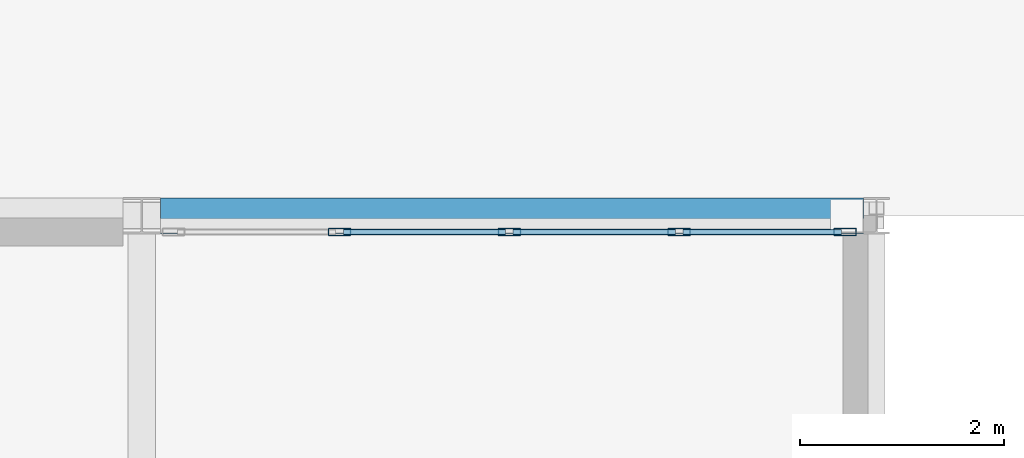
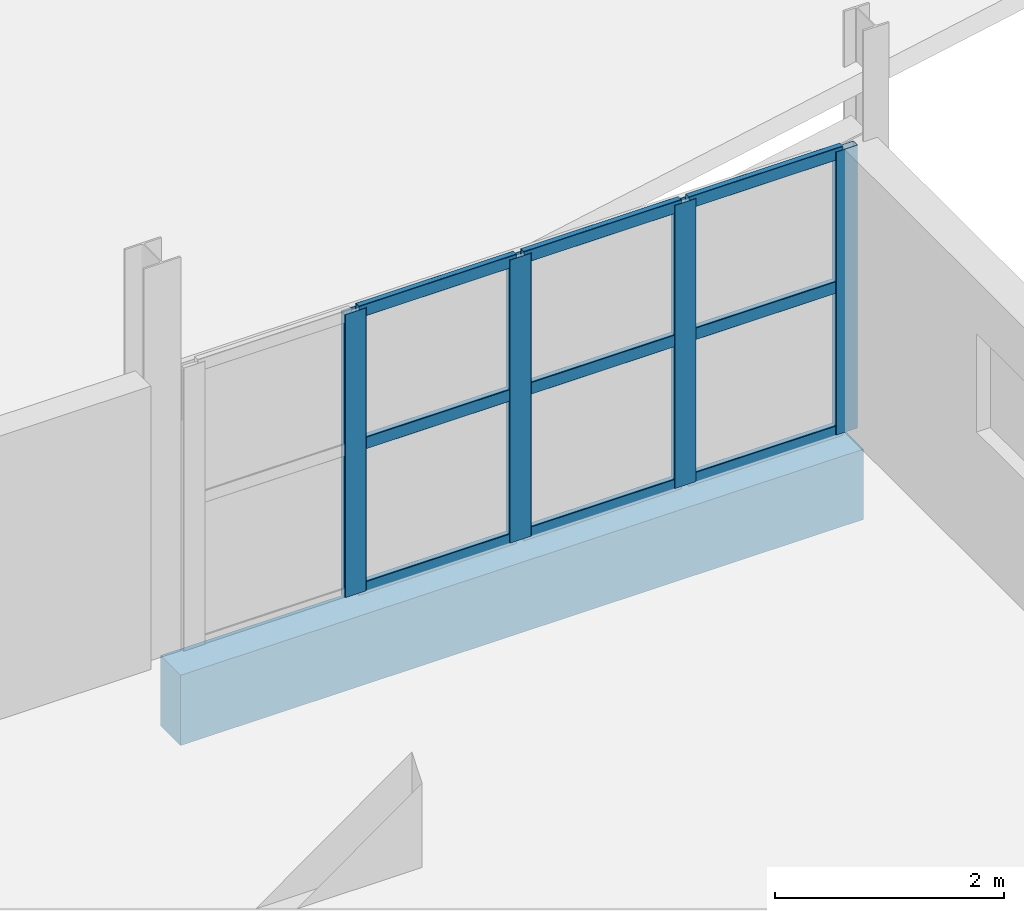
# One storey, part 57 of 94: 13 members, 1 beam, 1 element without a shape of its own.
"""IFC4 building model written with IfcOpenShell, lengths in metres."""

import ifcopenshell
import ifcopenshell.guid

model = None  # the IFC model being written
_history = None  # IfcOwnerHistory: only IFC2X3 demands one
_inside = {}  # id of a spatial element -> (the spatial element, [elements in it])
_under = {}  # id of a project, library or spatial element -> (it, [spatial elements below it])
_declared = {}  # id of a project -> (the project, [libraries it declares])
_typed = {}  # id of a type object -> (the type object, [elements of that type])
_made_of = {}  # id of a material, layer set ... -> (it, [elements and type objects made of it])


def new_model(schema):
    """Start an empty IFC model of exactly this schema.

    Asked for "IFC4X3", IfcOpenShell would pick the latest addendum, in which some entities
    have other attributes; the version numbers below select the first issue.
    IFC2X3 requires an IfcOwnerHistory on every rooted entity: one is made here for all.
    """
    global model, _history
    if schema == "IFC4X3":
        model = ifcopenshell.file(schema_version=(4, 3, 0, 0))
    else:
        model = ifcopenshell.file(schema=schema)
    _inside.clear()
    _under.clear()
    _declared.clear()
    _typed.clear()
    _made_of.clear()
    _history = None
    if model.schema == "IFC2X3":
        org = make("IfcOrganization", Name="unknown")
        user = make(
            "IfcPersonAndOrganization",
            ThePerson=make("IfcPerson", FamilyName="unknown"),
            TheOrganization=org,
        )
        app = make(
            "IfcApplication",
            ApplicationDeveloper=org,
            Version="unknown",
            ApplicationFullName="unknown",
            ApplicationIdentifier="unknown",
        )
        _history = make(
            "IfcOwnerHistory",
            OwningUser=user,
            OwningApplication=app,
            ChangeAction="ADDED",
            CreationDate=0,
        )
    return model


def make(cls, **values):
    """One entity of the class cls with the attributes given. An attribute that is None is left unset."""
    return model.create_entity(
        cls, **{name: value for name, value in values.items() if value is not None}
    )


def rooted(cls, **values):
    """An entity with a GlobalId (a new one), such as an element, a storey or a relation."""
    return make(cls, GlobalId=ifcopenshell.guid.new(), OwnerHistory=_history, **values)


def si_unit(unit_type, name, prefix=None):
    """IfcSIUnit, for example si_unit("LENGTHUNIT", "METRE", prefix="MILLI")."""
    return make("IfcSIUnit", UnitType=unit_type, Prefix=prefix, Name=name)


def assignment(units):
    """IfcUnitAssignment: the units of a project."""
    return None if units is None else make("IfcUnitAssignment", Units=units)


def point(xyz):
    """IfcCartesianPoint."""
    return None if xyz is None else make("IfcCartesianPoint", Coordinates=xyz)


def direction(xyz):
    """IfcDirection."""
    return None if xyz is None else make("IfcDirection", DirectionRatios=xyz)


def frame(location, z_axis=None, x_axis=None):
    """IfcAxis2Placement3D, a coordinate frame: its origin and axes. An axis left out is left unset."""
    return make(
        "IfcAxis2Placement3D",
        Location=point(location),
        Axis=direction(z_axis),
        RefDirection=direction(x_axis),
    )


def frame_2d(location, x_axis=None):
    """IfcAxis2Placement2D, a coordinate frame in the plane: its origin and x axis."""
    return make(
        "IfcAxis2Placement2D", Location=point(location), RefDirection=direction(x_axis)
    )


def origin():
    """The frame at (0, 0, 0) with its axes left unset."""
    return frame((0.0, 0.0, 0.0))


def origin_2d():
    """The frame at (0, 0) in the plane with its x axis left unset."""
    return frame_2d((0.0, 0.0))


def place(relative_to, where):
    """IfcLocalPlacement: puts the frame where relative to a parent placement (None: the world)."""
    return make(
        "IfcLocalPlacement", PlacementRelTo=relative_to, RelativePlacement=where
    )


def context(
    kind, dimensions, precision=None, world=None, true_north=None, identifier=None
):
    """IfcGeometricRepresentationContext, for example the 3D "Model" context."""
    return make(
        "IfcGeometricRepresentationContext",
        ContextIdentifier=identifier,
        ContextType=kind,
        CoordinateSpaceDimension=dimensions,
        Precision=precision,
        WorldCoordinateSystem=world,
        TrueNorth=true_north,
    )


def subcontext(parent, identifier, kind, view, scale=None):
    """IfcGeometricRepresentationSubContext, for example "Body" below "Model"."""
    return make(
        "IfcGeometricRepresentationSubContext",
        ContextIdentifier=identifier,
        ContextType=kind,
        ParentContext=parent,
        TargetScale=scale,
        TargetView=view,
    )


def project(units=None, contexts=None):
    """IfcProject with its units and contexts."""
    return rooted(
        "IfcProject",
        Name="project",
        RepresentationContexts=contexts,
        UnitsInContext=assignment(units),
    )


def spatial(cls, under=None, at=None, **own):
    """A site, building, storey or space (cls), placed at a placement, below another one or the project."""
    s = rooted(cls, ObjectPlacement=at, **own)
    if under is not None:
        _under.setdefault(under.id(), (under, []))[1].append(s)
    return s


def profile(cls, at=None, kind="AREA", **sizes):
    """A parametric profile (cls). Its sizes go by their IFC names, for example OverallWidth=200.0."""
    return make(cls, ProfileType=kind, Position=at, **sizes)


def rectangle(**sizes):
    """IfcRectangleProfileDef."""
    return profile("IfcRectangleProfileDef", **sizes)


def hollow_rectangle(**sizes):
    """IfcRectangleHollowProfileDef."""
    return profile("IfcRectangleHollowProfileDef", **sizes)


def extrude(swept, where, along, depth):
    """IfcExtrudedAreaSolid: the profile swept, set in the frame where, extruded along a direction by depth."""
    return make(
        "IfcExtrudedAreaSolid",
        SweptArea=swept,
        Position=where,
        ExtrudedDirection=direction(along),
        Depth=depth,
    )


def shape(context_of_items, identifier, shape_type, items):
    """IfcShapeRepresentation: the items that make up one representation, for example the "Body"."""
    return make(
        "IfcShapeRepresentation",
        ContextOfItems=context_of_items,
        RepresentationIdentifier=identifier,
        RepresentationType=shape_type,
        Items=items,
    )


def material(Name=None, Category=None):
    """IfcMaterial."""
    return make("IfcMaterial", Name=Name, Category=Category)


def material_profile(
    of_material, cross_section, Name=None, Category=None, Priority=None
):
    """IfcMaterialProfile: a cross section and its material."""
    return make(
        "IfcMaterialProfile",
        Name=Name,
        Material=of_material,
        Profile=cross_section,
        Priority=Priority,
        Category=Category,
    )


def profile_set(profiles, Name=None, composite=None):
    """IfcMaterialProfileSet."""
    return make(
        "IfcMaterialProfileSet",
        Name=Name,
        MaterialProfiles=profiles,
        CompositeProfile=composite,
    )


def made_of(thing, what):
    """Note that an element or type object is made of a material, layer set ...; save() writes the relation."""
    if what is not None:
        _made_of.setdefault(what.id(), (what, []))[1].append(thing)
    return thing


def type_object(cls, material=None, **own):
    """A type object (cls), such as IfcWallType, which elements share."""
    return made_of(rooted(cls, **own), material)


def element(
    cls,
    number,
    at=None,
    inside=None,
    cuts=None,
    type_object=None,
    material=None,
    context=None,
    identifier="Body",
    shape_type=None,
    held_by="IfcProductDefinitionShape",
    body=None,
    shapes=None,
    **own,
):
    """One element of the class cls, such as IfcWall. Its Tag is "e" and its number.

    at: its placement. inside: the storey or other place that contains it. cuts: it is an
    opening in that element (IfcRelVoidsElement). A single representation is given by context,
    identifier, shape_type and body (its items); several are given by shapes. held_by: the class
    of the entity that holds the representations. save() writes the other relations.
    """
    e = rooted(cls, Tag="e%d" % number, ObjectPlacement=at, **own)
    if body is not None:
        shapes = [shape(context, identifier, shape_type, body)]
    if shapes is not None:
        e.Representation = make(held_by, Representations=shapes)
    if inside is not None:
        _inside.setdefault(inside.id(), (inside, []))[1].append(e)
    if cuts is not None:
        rooted(
            "IfcRelVoidsElement", RelatingBuildingElement=cuts, RelatedOpeningElement=e
        )
    if type_object is not None:
        _typed.setdefault(type_object.id(), (type_object, []))[1].append(e)
    return made_of(e, material)


def aggregate(whole, parts):
    """IfcRelAggregates: a whole, such as a stair, and the parts it consists of."""
    return rooted("IfcRelAggregates", RelatingObject=whole, RelatedObjects=parts)


def save(model, path):
    """Write the relations noted so far, then the file.

    IfcRelAggregates (storeys below a building ...), IfcRelContainedInSpatialStructure (elements
    in a storey), IfcRelDefinesByType, IfcRelAssociatesMaterial and IfcRelDeclares: one each for
    every whole, place, type object, material and project.
    """
    for whole, parts in _under.values():
        aggregate(whole, parts)
    for where, things in _inside.values():
        rooted(
            "IfcRelContainedInSpatialStructure",
            RelatedElements=things,
            RelatingStructure=where,
        )
    for kind, things in _typed.values():
        rooted("IfcRelDefinesByType", RelatedObjects=things, RelatingType=kind)
    for what, things in _made_of.values():
        rooted("IfcRelAssociatesMaterial", RelatedObjects=things, RelatingMaterial=what)
    for by, libraries in _declared.values():
        rooted("IfcRelDeclares", RelatingContext=by, RelatedDefinitions=libraries)
    model.write(path)


model = new_model("IFC4")

# Units and contexts
model_context = context("Model", 3, precision=1e-05, world=origin(), true_north=direction((0.0, 1.0)))
body_context = subcontext(model_context, "Body", "Model", "MODEL_VIEW")
ifc_project = project(units=[si_unit("LENGTHUNIT", "METRE"), si_unit("AREAUNIT", "SQUARE_METRE"), si_unit("VOLUMEUNIT", "CUBIC_METRE"), si_unit("PLANEANGLEUNIT", "RADIAN"), si_unit("MASSUNIT", "GRAM", prefix="KILO")], contexts=[model_context])

# Site, building, storey
site_placement = place(None, origin())
site = spatial("IfcSite", under=ifc_project, at=site_placement, CompositionType="ELEMENT")
building_placement = place(site_placement, origin())
building = spatial("IfcBuilding", under=site, at=building_placement, Name="Kalmorath City Hall", CompositionType="ELEMENT")
storey_placement = place(building_placement, frame((0.0, 0.0, 14.699951171875)))
storey = spatial("IfcBuildingStorey", under=building, at=storey_placement, Name="L03", CompositionType="ELEMENT", Elevation=14.699951171875)

# Curtain wall, members
ifc_material_1 = material(Name="Anodised aluminium and laminated glass", Category="aluminium")
curtain_wall_type = type_object("IfcCurtainWallType", Name="Unitised hurricane curtain wall 6655x3018 M1850", PredefinedType="NOTDEFINED", material=ifc_material_1)
curtain_wall_placement = place(storey_placement, origin())
curtain_wall = element("IfcCurtainWall", 1, at=curtain_wall_placement, inside=storey, type_object=curtain_wall_type, Name="L03 curtain wall CW-67X30M18 #162", PredefinedType="NOTDEFINED")
ifc_material_2 = material(Name="Anodised aluminium framing", Category="aluminium")
ifc_material_profile_1 = material_profile(ifc_material_2, hollow_rectangle(XDim=0.06005859375, YDim=0.1298828125, WallThickness=0.00341796875, InnerFilletRadius=0.00341796875, OuterFilletRadius=0.007080078125, at=origin_2d()), Name="ALU-TRN-130X60X3.5")
ifc_profile_set_1 = profile_set([ifc_material_profile_1], Name="Anodised aluminium framing")
member_type_1 = type_object("IfcMemberType", Name="Curtain-wall courtyard transom 130x60", PredefinedType="USERDEFINED", material=ifc_profile_set_1)
member_1_placement = place(storey_placement, frame((160.3759765625, 43.0400390625, 0.030029296875), z_axis=(1.0, 0.0, 0.0), x_axis=(0.0, 1.0, 0.0)))
member_1 = element("IfcMember", 2, at=member_1_placement, type_object=member_type_1, Name="CW-67X30M18 transom 2.1", ObjectType="TRANSOM", PredefinedType="USERDEFINED", context=body_context, shape_type="SweptSolid", body=[
    extrude(hollow_rectangle(XDim=0.06005859375, YDim=0.1298828125, WallThickness=0.00341796875, InnerFilletRadius=0.00341796875, OuterFilletRadius=0.007080078125, at=origin_2d()), origin(), (0.0, 0.0, 1.0), 1.5888671875),
])
member_2_placement = place(storey_placement, frame((160.3759765625, 43.0400390625, 1.569091796875), z_axis=(1.0, 0.0, 0.0), x_axis=(0.0, 1.0, 0.0)))
member_2 = element("IfcMember", 3, at=member_2_placement, type_object=member_type_1, Name="CW-67X30M18 transom 2.2", ObjectType="TRANSOM", PredefinedType="USERDEFINED", context=body_context, shape_type="SweptSolid", body=[
    extrude(hollow_rectangle(XDim=0.06005859375, YDim=0.1298828125, WallThickness=0.00341796875, InnerFilletRadius=0.00341796875, OuterFilletRadius=0.007080078125, at=origin_2d()), origin(), (0.0, 0.0, 1.0), 1.5888671875),
])
member_3_placement = place(storey_placement, frame((160.3759765625, 43.0400390625, 2.988037109375), z_axis=(1.0, 0.0, 0.0), x_axis=(0.0, 1.0, 0.0)))
member_3 = element("IfcMember", 4, at=member_3_placement, type_object=member_type_1, Name="CW-67X30M18 transom 2.3", ObjectType="TRANSOM", PredefinedType="USERDEFINED", context=body_context, shape_type="SweptSolid", body=[
    extrude(hollow_rectangle(XDim=0.06005859375, YDim=0.1298828125, WallThickness=0.00341796875, InnerFilletRadius=0.00341796875, OuterFilletRadius=0.007080078125, at=origin_2d()), origin(), (0.0, 0.0, 1.0), 1.5888671875),
])
member_4_placement = place(storey_placement, frame((162.039794921875, 43.0400390625, 0.030029296875), z_axis=(1.0, 0.0, 0.0), x_axis=(0.0, 1.0, 0.0)))
member_4 = element("IfcMember", 5, at=member_4_placement, type_object=member_type_1, Name="CW-67X30M18 transom 3.1", ObjectType="TRANSOM", PredefinedType="USERDEFINED", context=body_context, shape_type="SweptSolid", body=[
    extrude(hollow_rectangle(XDim=0.06005859375, YDim=0.1298828125, WallThickness=0.00341796875, InnerFilletRadius=0.00341796875, OuterFilletRadius=0.007080078125, at=origin_2d()), origin(), (0.0, 0.0, 1.0), 1.5888671875),
])
member_5_placement = place(storey_placement, frame((162.039794921875, 43.0400390625, 1.569091796875), z_axis=(1.0, 0.0, 0.0), x_axis=(0.0, 1.0, 0.0)))
member_5 = element("IfcMember", 6, at=member_5_placement, type_object=member_type_1, Name="CW-67X30M18 transom 3.2", ObjectType="TRANSOM", PredefinedType="USERDEFINED", context=body_context, shape_type="SweptSolid", body=[
    extrude(hollow_rectangle(XDim=0.06005859375, YDim=0.1298828125, WallThickness=0.00341796875, InnerFilletRadius=0.00341796875, OuterFilletRadius=0.007080078125, at=origin_2d()), origin(), (0.0, 0.0, 1.0), 1.5888671875),
])
member_6_placement = place(storey_placement, frame((162.039794921875, 43.0400390625, 2.988037109375), z_axis=(1.0, 0.0, 0.0), x_axis=(0.0, 1.0, 0.0)))
member_6 = element("IfcMember", 7, at=member_6_placement, type_object=member_type_1, Name="CW-67X30M18 transom 3.3", ObjectType="TRANSOM", PredefinedType="USERDEFINED", context=body_context, shape_type="SweptSolid", body=[
    extrude(hollow_rectangle(XDim=0.06005859375, YDim=0.1298828125, WallThickness=0.00341796875, InnerFilletRadius=0.00341796875, OuterFilletRadius=0.007080078125, at=origin_2d()), origin(), (0.0, 0.0, 1.0), 1.5888671875),
])
member_7_placement = place(storey_placement, frame((163.70361328125, 43.0400390625, 0.030029296875), z_axis=(1.0, 0.0, 0.0), x_axis=(0.0, 1.0, 0.0)))
member_7 = element("IfcMember", 8, at=member_7_placement, type_object=member_type_1, Name="CW-67X30M18 transom 4.1", ObjectType="TRANSOM", PredefinedType="USERDEFINED", context=body_context, shape_type="SweptSolid", body=[
    extrude(hollow_rectangle(XDim=0.06005859375, YDim=0.1298828125, WallThickness=0.00341796875, InnerFilletRadius=0.00341796875, OuterFilletRadius=0.007080078125, at=origin_2d()), origin(), (0.0, 0.0, 1.0), 1.55126953125),
])
member_8_placement = place(storey_placement, frame((163.70361328125, 43.0400390625, 1.569091796875), z_axis=(1.0, 0.0, 0.0), x_axis=(0.0, 1.0, 0.0)))
member_8 = element("IfcMember", 9, at=member_8_placement, type_object=member_type_1, Name="CW-67X30M18 transom 4.2", ObjectType="TRANSOM", PredefinedType="USERDEFINED", context=body_context, shape_type="SweptSolid", body=[
    extrude(hollow_rectangle(XDim=0.06005859375, YDim=0.1298828125, WallThickness=0.00341796875, InnerFilletRadius=0.00341796875, OuterFilletRadius=0.007080078125, at=origin_2d()), origin(), (0.0, 0.0, 1.0), 1.55126953125),
])
member_9_placement = place(storey_placement, frame((163.70361328125, 43.0400390625, 2.988037109375), z_axis=(1.0, 0.0, 0.0), x_axis=(0.0, 1.0, 0.0)))
member_9 = element("IfcMember", 10, at=member_9_placement, type_object=member_type_1, Name="CW-67X30M18 transom 4.3", ObjectType="TRANSOM", PredefinedType="USERDEFINED", context=body_context, shape_type="SweptSolid", body=[
    extrude(hollow_rectangle(XDim=0.06005859375, YDim=0.1298828125, WallThickness=0.00341796875, InnerFilletRadius=0.00341796875, OuterFilletRadius=0.007080078125, at=origin_2d()), origin(), (0.0, 0.0, 1.0), 1.55126953125),
])
ifc_material_3 = material(Name="Anodised aluminium framing", Category="aluminium")
ifc_material_profile_2 = material_profile(ifc_material_3, hollow_rectangle(XDim=0.074951171875, YDim=0.219970703125, WallThickness=0.00390625, InnerFilletRadius=0.00390625, OuterFilletRadius=0.008056640625, at=origin_2d()), Name="ALU-MUL-220X75X4")
ifc_profile_set_2 = profile_set([ifc_material_profile_2], Name="Anodised aluminium framing")
member_type_2 = type_object("IfcMemberType", Name="Curtain-wall primary mullion 220x75", PredefinedType="MULLION", material=ifc_profile_set_2)
member_10_placement = place(storey_placement, frame((160.33837890625, 43.0400390625, 0.0), z_axis=(0.0, 0.0, 1.0), x_axis=(0.0, 1.0, 0.0)))
member_10 = element("IfcMember", 11, at=member_10_placement, type_object=member_type_2, Name="CW-67X30M18 mullion 2", PredefinedType="MULLION", context=body_context, shape_type="SweptSolid", body=[
    extrude(hollow_rectangle(XDim=0.074951171875, YDim=0.219970703125, WallThickness=0.00390625, InnerFilletRadius=0.00390625, OuterFilletRadius=0.008056640625, at=origin_2d()), origin(), (0.0, 0.0, 1.0), 3.01806640625),
])
member_11_placement = place(storey_placement, frame((162.002197265625, 43.0400390625, 0.0), z_axis=(0.0, 0.0, 1.0), x_axis=(0.0, 1.0, 0.0)))
member_11 = element("IfcMember", 12, at=member_11_placement, type_object=member_type_2, Name="CW-67X30M18 mullion 3", PredefinedType="MULLION", context=body_context, shape_type="SweptSolid", body=[
    extrude(hollow_rectangle(XDim=0.074951171875, YDim=0.219970703125, WallThickness=0.00390625, InnerFilletRadius=0.00390625, OuterFilletRadius=0.008056640625, at=origin_2d()), origin(), (0.0, 0.0, 1.0), 3.01806640625),
])
member_12_placement = place(storey_placement, frame((163.666015625, 43.0400390625, 0.0), z_axis=(0.0, 0.0, 1.0), x_axis=(0.0, 1.0, 0.0)))
member_12 = element("IfcMember", 13, at=member_12_placement, type_object=member_type_2, Name="CW-67X30M18 mullion 4", PredefinedType="MULLION", context=body_context, shape_type="SweptSolid", body=[
    extrude(hollow_rectangle(XDim=0.074951171875, YDim=0.219970703125, WallThickness=0.00390625, InnerFilletRadius=0.00390625, OuterFilletRadius=0.008056640625, at=origin_2d()), origin(), (0.0, 0.0, 1.0), 3.01806640625),
])
member_13_placement = place(storey_placement, frame((165.29248046875, 43.0400390625, 0.0), z_axis=(0.0, 0.0, 1.0), x_axis=(0.0, 1.0, 0.0)))
member_13 = element("IfcMember", 14, at=member_13_placement, type_object=member_type_2, Name="CW-67X30M18 mullion 5", PredefinedType="MULLION", context=body_context, shape_type="SweptSolid", body=[
    extrude(hollow_rectangle(XDim=0.074951171875, YDim=0.219970703125, WallThickness=0.00390625, InnerFilletRadius=0.00390625, OuterFilletRadius=0.008056640625, at=origin_2d()), origin(), (0.0, 0.0, 1.0), 3.01806640625),
])
aggregate(curtain_wall, [member_10, member_11, member_12, member_13, member_1, member_2, member_3, member_4, member_5, member_6, member_7, member_8, member_9])

# Beam
ifc_material_4 = material(Name="Precast concrete C40/50", Category="concrete")
ifc_material_profile_3 = material_profile(ifc_material_4, rectangle(XDim=0.35009765625, YDim=0.75, at=origin_2d()), Name="PC-SP-350X750")
ifc_profile_set_3 = profile_set([ifc_material_profile_3], Name="Precast concrete C40/50")
beam_type = type_object("IfcBeamType", Name="Precast spandrel lintel 350x750", PredefinedType="LINTEL", material=ifc_profile_set_3)
beam_placement = place(storey_placement, frame((158.58447265625, 43.199951171875, -0.638916015625), z_axis=(1.0, 0.0, 0.0), x_axis=(0.0, 1.0, 0.0)))
element("IfcBeam", 15, at=beam_placement, inside=storey, type_object=beam_type, Name="L03 girder PSB1 X23-24/7", PredefinedType="LINTEL", context=body_context, shape_type="SweptSolid", body=[
    extrude(rectangle(XDim=0.35009765625, YDim=0.75, at=origin_2d()), origin(), (0.0, 0.0, 1.0), 6.887451171875),
])

save(model, "model.ifc")
